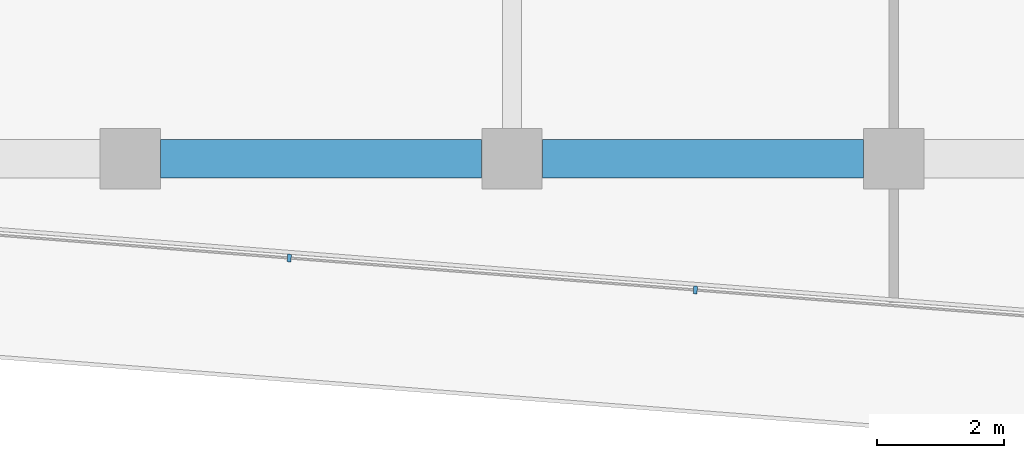
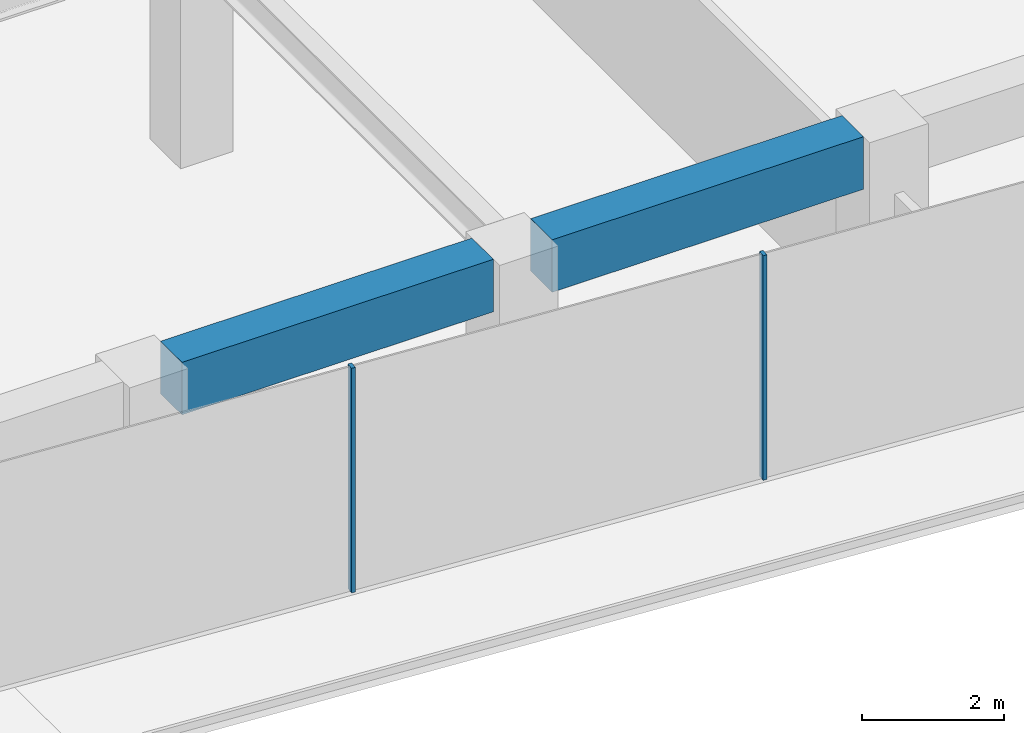
# One storey, part 6 of 29: 2 beams, 2 members, 1 element without a shape of its own.
"""IFC4 building model written with IfcOpenShell, lengths in metres."""

from ifc_helpers import new_model, si_unit, direction, frame, origin, origin_2d, place, context, subcontext, project, spatial, rectangle, extrude, material, layer, layer_set, material_profile, profile_set, type_object, element, aggregate, save


model = new_model("IFC4")

# Units and contexts
model_context = context("Model", 3, precision=1e-05, world=origin(), true_north=direction((0.0, 1.0)))
body_context = subcontext(model_context, "Body", "Model", "MODEL_VIEW")
ifc_project = project(units=[si_unit("LENGTHUNIT", "METRE"), si_unit("AREAUNIT", "SQUARE_METRE"), si_unit("VOLUMEUNIT", "CUBIC_METRE"), si_unit("PLANEANGLEUNIT", "RADIAN"), si_unit("MASSUNIT", "GRAM", prefix="KILO")], contexts=[model_context])

# Site, building, storey
site_placement = place(None, origin())
site = spatial("IfcSite", under=ifc_project, at=site_placement, CompositionType="ELEMENT")
building_placement = place(site_placement, origin())
building = spatial("IfcBuilding", under=site, at=building_placement, Name="Welwitschia Terrace Campus", CompositionType="ELEMENT")
storey_placement = place(building_placement, frame((0.0, 0.0, 33.199951171875)))
storey = spatial("IfcBuildingStorey", under=building, at=storey_placement, Name="L07", CompositionType="ELEMENT", Elevation=33.199951171875)

# Curtain wall, members
ifc_material_1 = material(Name="Bronze anodised aluminium", Category="aluminium")
ifc_layer = layer(ifc_material_1, 0.1201171875)
ifc_layer_set = layer_set([ifc_layer], Name="Bronze anodised aluminium")
curtain_wall_type = type_object("IfcCurtainWallType", Name="Curtain wall CW2 tower 6000", PredefinedType="NOTDEFINED", material=ifc_layer_set)
curtain_wall_placement = place(storey_placement, origin())
curtain_wall = element("IfcCurtainWall", 1, at=curtain_wall_placement, inside=storey, type_object=curtain_wall_type, Name="CW L07.6.0", PredefinedType="NOTDEFINED")
ifc_material_2 = material(Name="Bronze anodised aluminium", Category="aluminium")
ifc_material_profile_1 = material_profile(ifc_material_2, rectangle(XDim=0.1201171875, YDim=0.06005859375, at=origin_2d()))
ifc_profile_set_1 = profile_set([ifc_material_profile_1], Name="Bronze anodised aluminium")
member_type = type_object("IfcMemberType", Name="Mullion 60x120", PredefinedType="MULLION", material=ifc_profile_set_1)
member_1_placement = place(storey_placement, frame((32.499267578125, -5.560302734375, 0.0), z_axis=(0.0, 0.0, 1.0), x_axis=(0.078459095728, 0.996917333733, 0.0)))
member_1 = element("IfcMember", 2, at=member_1_placement, type_object=member_type, Name="Mullion L07.6.0.1", PredefinedType="MULLION", context=body_context, shape_type="SweptSolid", body=[
    extrude(rectangle(XDim=0.1201171875, YDim=0.06005859375, at=origin_2d()), origin(), (0.0, 0.0, 1.0), 3.85009765625),
])
member_2_placement = place(storey_placement, frame((38.8828125, -6.062744140625, 0.0), z_axis=(0.0, 0.0, 1.0), x_axis=(0.078459095728, 0.996917333733, 0.0)))
member_2 = element("IfcMember", 3, at=member_2_placement, type_object=member_type, Name="Mullion L07.6.0.2", PredefinedType="MULLION", context=body_context, shape_type="SweptSolid", body=[
    extrude(rectangle(XDim=0.1201171875, YDim=0.06005859375, at=origin_2d()), origin(), (0.0, 0.0, 1.0), 3.85009765625),
])
aggregate(curtain_wall, [member_1, member_2])

# Beams
ifc_material_3 = material(Name="Concrete C60/75", Category="concrete")
ifc_material_profile_2 = material_profile(ifc_material_3, rectangle(XDim=0.60009765625, YDim=0.89990234375, at=origin_2d()))
ifc_profile_set_2 = profile_set([ifc_material_profile_2], Name="Concrete C60/75")
beam_type = type_object("IfcBeamType", Name="Ring spandrel 600x900", PredefinedType="SPANDREL", material=ifc_profile_set_2)
for number, where, z_axis, x_axis, name in (
    (4, (30.4755859375, -4.0, 3.400146484375), (1.0, 0.0, 0.0), (0.0, 1.0, 0.0), "Spandrel SP2"),
    (5, (36.4755859375, -4.0, 3.400146484375), (1.0, 0.0, 0.0), (0.0, 1.0, 0.0), "Spandrel SP2"),
):
    element("IfcBeam", number, at=place(storey_placement, frame(where, z_axis=z_axis, x_axis=x_axis)), inside=storey, type_object=beam_type, Name=name, PredefinedType="SPANDREL", context=body_context, shape_type="SweptSolid", body=[
        extrude(rectangle(XDim=0.60009765625, YDim=0.89990234375, at=origin_2d()), origin(), (0.0, 0.0, 1.0), 5.048828125),
    ])

save(model, "model.ifc")
